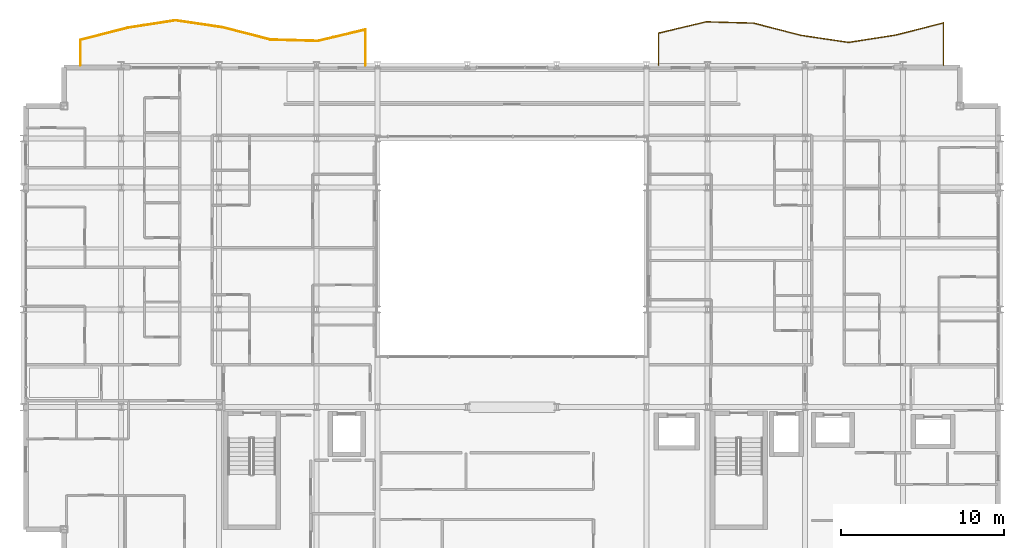
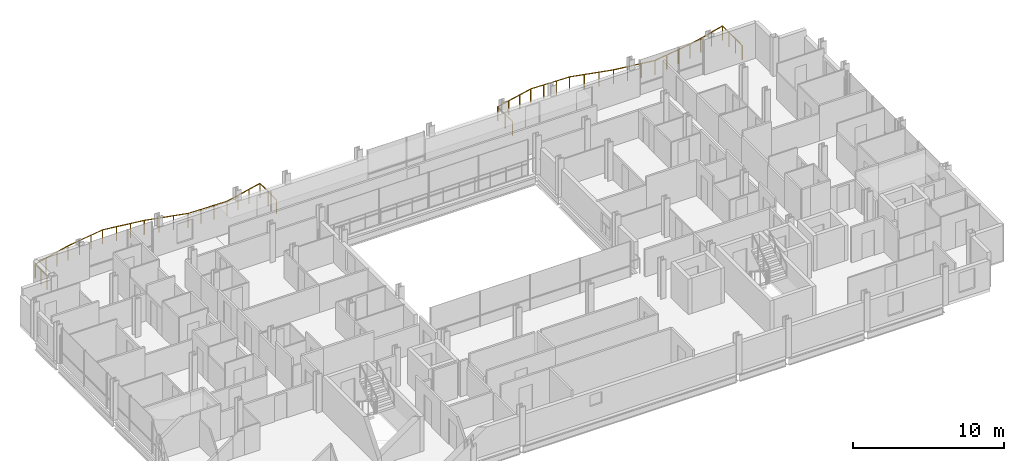
# One storey, part 41 of 41: 2 railings.
"""IFC4 building model written with IfcOpenShell, lengths in metres."""

from ifc_helpers import new_model, si_unit, direction, frame, origin, origin_2d, place, context, subcontext, project, spatial, circle, extrude, material, type_object, element, save


model = new_model("IFC4")

# Units and contexts
model_context = context("Model", 3, precision=1e-05, world=origin(), true_north=direction((0.0, 1.0)))
body_context = subcontext(model_context, "Body", "Model", "MODEL_VIEW")
ifc_project = project(units=[si_unit("LENGTHUNIT", "METRE"), si_unit("AREAUNIT", "SQUARE_METRE"), si_unit("VOLUMEUNIT", "CUBIC_METRE"), si_unit("PLANEANGLEUNIT", "RADIAN"), si_unit("MASSUNIT", "GRAM", prefix="KILO")], contexts=[model_context])

# Site, building, storey
site_placement = place(None, origin())
site = spatial("IfcSite", under=ifc_project, at=site_placement, CompositionType="ELEMENT")
building_placement = place(site_placement, origin())
building = spatial("IfcBuilding", under=site, at=building_placement, Name="Brevholm Reach", CompositionType="ELEMENT")
storey_placement = place(building_placement, frame((0.0, 0.0, 93.10009765625)))
storey = spatial("IfcBuildingStorey", under=building, at=storey_placement, Name="L27", CompositionType="ELEMENT", Elevation=93.10009765625)

# Railings
ifc_material = material(Name="Brushed Stainless Steel EN 1.4401 and Laminated Glass", Category="steel")
railing_type = type_object("IfcRailingType", Name="RAL-BALC-1150", PredefinedType="BALUSTRADE", material=ifc_material)
railing_1_placement = place(storey_placement, frame((56.5, 31.0, 0.0)))
element("IfcRailing", 1, at=railing_1_placement, inside=storey, type_object=railing_type, Name="L27 Guard Balustrade RAL-L27-BAL-NE", PredefinedType="BALUSTRADE", context=body_context, shape_type="SweptSolid", body=[
    extrude(circle(Radius=0.02392578125, at=origin_2d()), frame((0.0, 0.0, 1.1259765625), z_axis=(0.0, 1.0, 0.0), x_axis=(-1.0, 0.0, 0.0)), (0.0, 0.0, 1.0), 2.599609375),
    extrude(circle(Radius=0.02392578125, at=origin_2d()), frame((0.0, 2.599609375, 1.1259765625), z_axis=(-0.968942936238, -0.247284423921, 0.0), x_axis=(0.247284423921, -0.968942936238, 0.0)), (0.0, 0.0, 1.0), 3.01025390625),
    extrude(circle(Radius=0.02392578125, at=origin_2d()), frame((-2.916748046875, 1.855224609375, 1.1259765625), z_axis=(-0.988044338858, -0.154169985571, 0.0), x_axis=(0.154169985571, -0.988044338858, 0.0)), (0.0, 0.0, 1.0), 2.951904296875),
    extrude(circle(Radius=0.02392578125, at=origin_2d()), frame((-5.833251953125, 1.400146484375, 1.1259765625), z_axis=(-0.98916653389, 0.146797711943, 0.0), x_axis=(-0.146797711943, -0.98916653389, 0.0)), (0.0, 0.0, 1.0), 2.94873046875),
    extrude(circle(Radius=0.02392578125, at=origin_2d()), frame((-8.75, 1.8330078125, 1.1259765625), z_axis=(-0.968377202247, 0.2494906695, 0.0), x_axis=(-0.2494906695, -0.968377202247, 0.0)), (0.0, 0.0, 1.0), 3.011962890625),
    extrude(circle(Radius=0.02392578125, at=origin_2d()), frame((-11.666748046875, 2.58447265625, 1.1259765625), z_axis=(-0.99961635372, 0.027697389342, 0.0), x_axis=(-0.027697389342, -0.99961635372, 0.0)), (0.0, 0.0, 1.0), 2.917724609375),
    extrude(circle(Radius=0.02392578125, at=origin_2d()), frame((-14.583251953125, 2.665283203125, 1.1259765625), z_axis=(-0.972705660557, -0.23204244853, 0.0), x_axis=(0.23204244853, -0.972705660557, 0.0)), (0.0, 0.0, 1.0), 2.99853515625),
    extrude(circle(Radius=0.02392578125, at=origin_2d()), frame((-17.5, 1.969482421875, 1.1259765625), z_axis=(0.0, -1.0, 0.0), x_axis=(1.0, 0.0, 0.0)), (0.0, 0.0, 1.0), 1.969482421875),
    extrude(circle(Radius=0.02099609375, at=origin_2d()), origin(), (0.0, 0.0, 1.0), 1.101806640625),
    extrude(circle(Radius=0.02099609375, at=origin_2d()), frame((0.0, 0.866455078125, 0.0)), (0.0, 0.0, 1.0), 1.101806640625),
    extrude(circle(Radius=0.02099609375, at=origin_2d()), frame((0.0, 1.733154296875, 0.0)), (0.0, 0.0, 1.0), 1.101806640625),
    extrude(circle(Radius=0.02099609375, at=origin_2d()), frame((0.0, 2.599609375, 0.0)), (0.0, 0.0, 1.0), 1.101806640625),
    extrude(circle(Radius=0.02099609375, at=origin_2d()), frame((-0.97216796875, 2.3515625, 0.0)), (0.0, 0.0, 1.0), 1.101806640625),
    extrude(circle(Radius=0.02099609375, at=origin_2d()), frame((-1.944580078125, 2.103271484375, 0.0)), (0.0, 0.0, 1.0), 1.101806640625),
    extrude(circle(Radius=0.02099609375, at=origin_2d()), frame((-2.916748046875, 1.855224609375, 0.0)), (0.0, 0.0, 1.0), 1.101806640625),
    extrude(circle(Radius=0.02099609375, at=origin_2d()), frame((-3.888916015625, 1.70361328125, 0.0)), (0.0, 0.0, 1.0), 1.101806640625),
    extrude(circle(Radius=0.02099609375, at=origin_2d()), frame((-4.861083984375, 1.5517578125, 0.0)), (0.0, 0.0, 1.0), 1.101806640625),
    extrude(circle(Radius=0.02099609375, at=origin_2d()), frame((-5.833251953125, 1.400146484375, 0.0)), (0.0, 0.0, 1.0), 1.101806640625),
    extrude(circle(Radius=0.02099609375, at=origin_2d()), frame((-6.805419921875, 1.54443359375, 0.0)), (0.0, 0.0, 1.0), 1.101806640625),
    extrude(circle(Radius=0.02099609375, at=origin_2d()), frame((-7.77783203125, 1.688720703125, 0.0)), (0.0, 0.0, 1.0), 1.101806640625),
    extrude(circle(Radius=0.02099609375, at=origin_2d()), frame((-8.75, 1.8330078125, 0.0)), (0.0, 0.0, 1.0), 1.101806640625),
    extrude(circle(Radius=0.02099609375, at=origin_2d()), frame((-9.72216796875, 2.08349609375, 0.0)), (0.0, 0.0, 1.0), 1.101806640625),
    extrude(circle(Radius=0.02099609375, at=origin_2d()), frame((-10.694580078125, 2.333984375, 0.0)), (0.0, 0.0, 1.0), 1.101806640625),
    extrude(circle(Radius=0.02099609375, at=origin_2d()), frame((-11.666748046875, 2.58447265625, 0.0)), (0.0, 0.0, 1.0), 1.101806640625),
    extrude(circle(Radius=0.02099609375, at=origin_2d()), frame((-12.638916015625, 2.611328125, 0.0)), (0.0, 0.0, 1.0), 1.101806640625),
    extrude(circle(Radius=0.02099609375, at=origin_2d()), frame((-13.611083984375, 2.638427734375, 0.0)), (0.0, 0.0, 1.0), 1.101806640625),
    extrude(circle(Radius=0.02099609375, at=origin_2d()), frame((-14.583251953125, 2.665283203125, 0.0)), (0.0, 0.0, 1.0), 1.101806640625),
    extrude(circle(Radius=0.02099609375, at=origin_2d()), frame((-15.555419921875, 2.433349609375, 0.0)), (0.0, 0.0, 1.0), 1.101806640625),
    extrude(circle(Radius=0.02099609375, at=origin_2d()), frame((-16.52783203125, 2.201416015625, 0.0)), (0.0, 0.0, 1.0), 1.101806640625),
    extrude(circle(Radius=0.02099609375, at=origin_2d()), frame((-17.5, 1.969482421875, 0.0)), (0.0, 0.0, 1.0), 1.101806640625),
    extrude(circle(Radius=0.02099609375, at=origin_2d()), frame((-17.5, 0.98486328125, 0.0)), (0.0, 0.0, 1.0), 1.101806640625),
    extrude(circle(Radius=0.02099609375, at=origin_2d()), frame((-17.5, 0.0, 0.0)), (0.0, 0.0, 1.0), 1.101806640625),
])
railing_2_placement = place(storey_placement, frame((21.0, 31.0, 0.0)))
element("IfcRailing", 2, at=railing_2_placement, inside=storey, type_object=railing_type, Name="L27 Guard Balustrade RAL-L27-BAL-NW", PredefinedType="BALUSTRADE", context=body_context, shape_type="SweptSolid", body=[
    extrude(circle(Radius=0.02392578125, at=origin_2d()), frame((0.0, 0.0, 1.1259765625), z_axis=(0.0, 1.0, 0.0), x_axis=(-1.0, 0.0, 0.0)), (0.0, 0.0, 1.0), 2.1806640625),
    extrude(circle(Radius=0.02392578125, at=origin_2d()), frame((0.0, 2.1806640625, 1.1259765625), z_axis=(-0.972687280988, -0.232119480882, 0.0), x_axis=(0.232119480882, -0.972687280988, 0.0)), (0.0, 0.0, 1.0), 2.99853515625),
    extrude(circle(Radius=0.02392578125, at=origin_2d()), frame((-2.916748046875, 1.484619140625, 1.1259765625), z_axis=(-0.999614033457, 0.027781002771, 0.0), x_axis=(-0.027781002771, -0.999614033457, 0.0)), (0.0, 0.0, 1.0), 2.917724609375),
    extrude(circle(Radius=0.02392578125, at=origin_2d()), frame((-5.833251953125, 1.565673828125, 1.1259765625), z_axis=(-0.968396782901, 0.249414656482, 0.0), x_axis=(-0.249414656482, -0.968396782901, 0.0)), (0.0, 0.0, 1.0), 3.011962890625),
    extrude(circle(Radius=0.02392578125, at=origin_2d()), frame((-8.75, 2.31689453125, 1.1259765625), z_axis=(-0.989154508095, 0.146878722471, 0.0), x_axis=(-0.146878722471, -0.989154508095, 0.0)), (0.0, 0.0, 1.0), 2.94873046875),
    extrude(circle(Radius=0.02392578125, at=origin_2d()), frame((-11.666748046875, 2.75, 1.1259765625), z_axis=(-0.988044338858, -0.154169985571, 0.0), x_axis=(0.154169985571, -0.988044338858, 0.0)), (0.0, 0.0, 1.0), 2.951904296875),
    extrude(circle(Radius=0.02392578125, at=origin_2d()), frame((-14.583251953125, 2.294921875, 1.1259765625), z_axis=(-0.968923500885, -0.24736056564, 0.0), x_axis=(0.24736056564, -0.968923500885, 0.0)), (0.0, 0.0, 1.0), 3.01025390625),
    extrude(circle(Radius=0.02392578125, at=origin_2d()), frame((-17.5, 1.55029296875, 1.1259765625), z_axis=(0.0, -1.0, 0.0), x_axis=(1.0, 0.0, 0.0)), (0.0, 0.0, 1.0), 1.55029296875),
    extrude(circle(Radius=0.02099609375, at=origin_2d()), origin(), (0.0, 0.0, 1.0), 1.101806640625),
    extrude(circle(Radius=0.02099609375, at=origin_2d()), frame((0.0, 1.09033203125, 0.0)), (0.0, 0.0, 1.0), 1.101806640625),
    extrude(circle(Radius=0.02099609375, at=origin_2d()), frame((0.0, 2.1806640625, 0.0)), (0.0, 0.0, 1.0), 1.101806640625),
    extrude(circle(Radius=0.02099609375, at=origin_2d()), frame((-0.97216796875, 1.94873046875, 0.0)), (0.0, 0.0, 1.0), 1.101806640625),
    extrude(circle(Radius=0.02099609375, at=origin_2d()), frame((-1.944580078125, 1.716552734375, 0.0)), (0.0, 0.0, 1.0), 1.101806640625),
    extrude(circle(Radius=0.02099609375, at=origin_2d()), frame((-2.916748046875, 1.484619140625, 0.0)), (0.0, 0.0, 1.0), 1.101806640625),
    extrude(circle(Radius=0.02099609375, at=origin_2d()), frame((-3.888916015625, 1.51171875, 0.0)), (0.0, 0.0, 1.0), 1.101806640625),
    extrude(circle(Radius=0.02099609375, at=origin_2d()), frame((-4.861083984375, 1.53857421875, 0.0)), (0.0, 0.0, 1.0), 1.101806640625),
    extrude(circle(Radius=0.02099609375, at=origin_2d()), frame((-5.833251953125, 1.565673828125, 0.0)), (0.0, 0.0, 1.0), 1.101806640625),
    extrude(circle(Radius=0.02099609375, at=origin_2d()), frame((-6.805419921875, 1.816162109375, 0.0)), (0.0, 0.0, 1.0), 1.101806640625),
    extrude(circle(Radius=0.02099609375, at=origin_2d()), frame((-7.77783203125, 2.06640625, 0.0)), (0.0, 0.0, 1.0), 1.101806640625),
    extrude(circle(Radius=0.02099609375, at=origin_2d()), frame((-8.75, 2.31689453125, 0.0)), (0.0, 0.0, 1.0), 1.101806640625),
    extrude(circle(Radius=0.02099609375, at=origin_2d()), frame((-9.72216796875, 2.461181640625, 0.0)), (0.0, 0.0, 1.0), 1.101806640625),
    extrude(circle(Radius=0.02099609375, at=origin_2d()), frame((-10.694580078125, 2.605712890625, 0.0)), (0.0, 0.0, 1.0), 1.101806640625),
    extrude(circle(Radius=0.02099609375, at=origin_2d()), frame((-11.666748046875, 2.75, 0.0)), (0.0, 0.0, 1.0), 1.101806640625),
    extrude(circle(Radius=0.02099609375, at=origin_2d()), frame((-12.638916015625, 2.598388671875, 0.0)), (0.0, 0.0, 1.0), 1.101806640625),
    extrude(circle(Radius=0.02099609375, at=origin_2d()), frame((-13.611083984375, 2.446533203125, 0.0)), (0.0, 0.0, 1.0), 1.101806640625),
    extrude(circle(Radius=0.02099609375, at=origin_2d()), frame((-14.583251953125, 2.294921875, 0.0)), (0.0, 0.0, 1.0), 1.101806640625),
    extrude(circle(Radius=0.02099609375, at=origin_2d()), frame((-15.555419921875, 2.046630859375, 0.0)), (0.0, 0.0, 1.0), 1.101806640625),
    extrude(circle(Radius=0.02099609375, at=origin_2d()), frame((-16.52783203125, 1.798583984375, 0.0)), (0.0, 0.0, 1.0), 1.101806640625),
    extrude(circle(Radius=0.02099609375, at=origin_2d()), frame((-17.5, 1.55029296875, 0.0)), (0.0, 0.0, 1.0), 1.101806640625),
    extrude(circle(Radius=0.02099609375, at=origin_2d()), frame((-17.5, 0.775146484375, 0.0)), (0.0, 0.0, 1.0), 1.101806640625),
    extrude(circle(Radius=0.02099609375, at=origin_2d()), frame((-17.5, 0.0, 0.0)), (0.0, 0.0, 1.0), 1.101806640625),
])

save(model, "model.ifc")
